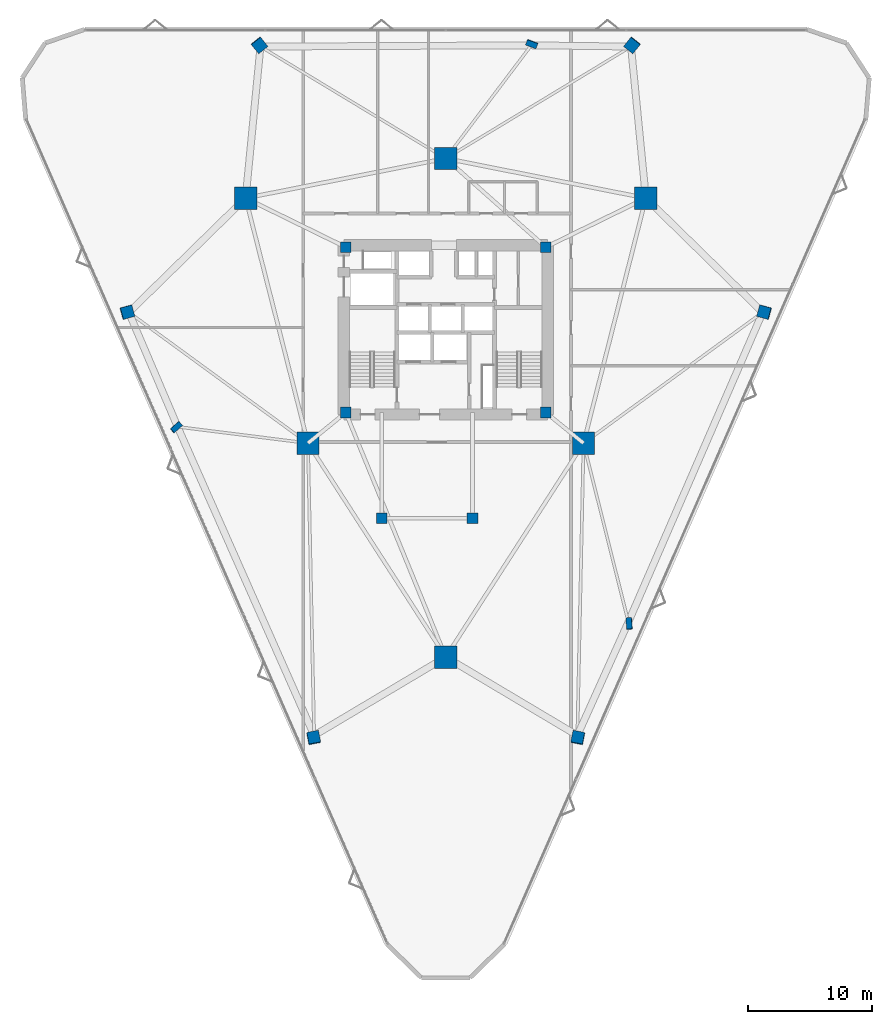
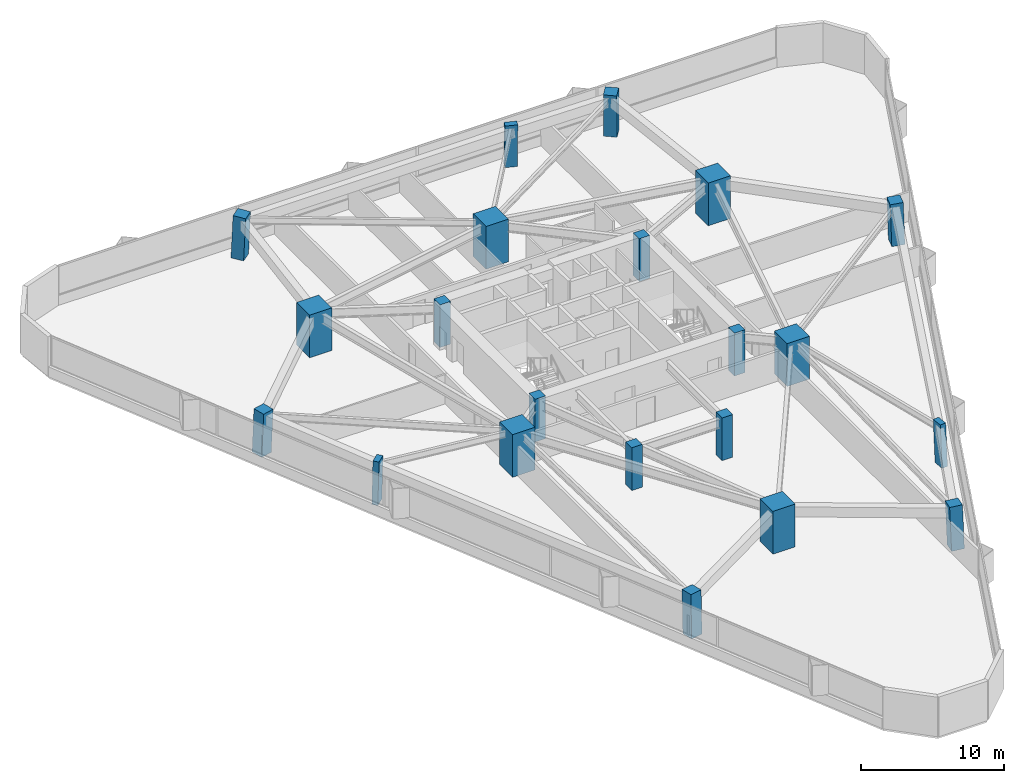
# One storey, part 1 of 20: 21 columns.
"""IFC4 building model written with IfcOpenShell, lengths in metres."""

from ifc_helpers import new_model, si_unit, direction, frame, origin, origin_2d, place, context, subcontext, project, spatial, rectangle, extrude, material, material_profile, profile_set, type_object, element, save


model = new_model("IFC4")

# Units and contexts
model_context = context("Model", 3, precision=1e-05, world=origin(), true_north=direction((0.0, 1.0)))
body_context = subcontext(model_context, "Body", "Model", "MODEL_VIEW")
ifc_project = project(units=[si_unit("LENGTHUNIT", "METRE"), si_unit("AREAUNIT", "SQUARE_METRE"), si_unit("VOLUMEUNIT", "CUBIC_METRE"), si_unit("PLANEANGLEUNIT", "RADIAN"), si_unit("MASSUNIT", "GRAM", prefix="KILO")], contexts=[model_context])

# Site, building, storey
site_placement = place(None, origin())
site = spatial("IfcSite", under=ifc_project, at=site_placement, CompositionType="ELEMENT")
building_placement = place(site_placement, origin())
building = spatial("IfcBuilding", under=site, at=building_placement, Name="Talyreon Biosciences Tower", CompositionType="ELEMENT")
storey_placement = place(building_placement, frame((0.0, 0.0, 41.050048828125)))
storey = spatial("IfcBuildingStorey", under=building, at=storey_placement, Name="L10", CompositionType="ELEMENT", Elevation=41.050048828125)

# Columns
ifc_material_1 = material(Name="Precast concrete C45/55", Category="concrete")
ifc_material_profile_1 = material_profile(ifc_material_1, rectangle(XDim=0.89990234375, YDim=0.449951171875, at=origin_2d()), Name="RC 900x450")
ifc_profile_set_1 = profile_set([ifc_material_profile_1], Name="Precast concrete C45/55")
column_type_1 = type_object("IfcColumnType", Name="FacadePilaster_900x450", PredefinedType="PILASTER", material=ifc_profile_set_1)
column_1_placement = place(storey_placement, frame((80.767333984375, 44.34912109375, 0.0029296875), z_axis=(-0.019612054336, 0.038220078587, 0.999076870375), x_axis=(0.060870498884, -0.997369733769, 0.039349669982)))
element("IfcColumn", 1, at=column_1_placement, inside=storey, type_object=column_type_1, Name="L10 Facade Pilaster PL-SE", PredefinedType="PILASTER", context=body_context, shape_type="SweptSolid", body=[
    extrude(rectangle(XDim=0.89990234375, YDim=0.449951171875, at=origin_2d()), origin(), (0.0, 0.0, 1.0), 3.6474609375),
])
column_2_placement = place(storey_placement, frame((72.92578125, 91.01513671875, 0.0029296875), z_axis=(-0.012386580681, -0.033477245085, 0.999362720278), x_axis=(-0.937861842681, 0.347008881792, 0.0)))
element("IfcColumn", 2, at=column_2_placement, inside=storey, type_object=column_type_1, Name="L10 Facade Pilaster PL-N", PredefinedType="PILASTER", context=body_context, shape_type="SweptSolid", body=[
    extrude(rectangle(XDim=0.89990234375, YDim=0.449951171875, at=origin_2d()), origin(), (0.0, 0.0, 1.0), 3.646484375),
])
column_3_placement = place(storey_placement, frame((44.306884765625, 60.162353515625, 0.0029296875), z_axis=(0.032006476949, 0.010512587617, 0.999432374368), x_axis=(0.744576307685, 0.66682370613, -0.030858823324)))
element("IfcColumn", 3, at=column_3_placement, inside=storey, type_object=column_type_1, Name="L10 Facade Pilaster PL-SW", PredefinedType="PILASTER", context=body_context, shape_type="SweptSolid", body=[
    extrude(rectangle(XDim=0.89990234375, YDim=0.449951171875, at=origin_2d()), origin(), (0.0, 0.0, 1.0), 3.64599609375),
])
ifc_material_2 = material(Name="Concrete C60/75", Category="concrete")
ifc_material_profile_2 = material_profile(ifc_material_2, rectangle(XDim=1.800048828125, YDim=1.800048828125, at=origin_2d()), Name="RC 1800x1800")
ifc_profile_set_2 = profile_set([ifc_material_profile_2], Name="Concrete C60/75")
column_type_2 = type_object("IfcColumnType", Name="MegaColumn_1800", PredefinedType="COLUMN", material=ifc_profile_set_2)
for number, where, z_axis, x_axis, name in (
    (4, (66.0, 41.6669921875, 0.0), (0.0, 0.0, 1.0), (1.0, 0.0, 0.0), "L10 Composite Mega-Column MC1"),
    (5, (82.102294921875, 78.5986328125, 0.0), (0.0, 0.0, 1.0), (1.0, 0.0, 0.0), "L10 Composite Mega-Column MC2"),
    (6, (49.897705078125, 78.5986328125, 0.0), (0.0, 0.0, 1.0), (1.0, 0.0, 0.0), "L10 Composite Mega-Column MC3"),
    (7, (77.086181640625, 58.88037109375, 0.0), (0.0, 0.0, 1.0), (1.0, 0.0, 0.0), "L10 Composite Mega-Column MC4"),
    (8, (66.0, 81.788818359375, 0.0), (0.0, 0.0, 1.0), (1.0, 0.0, 0.0), "L10 Composite Mega-Column MC5"),
    (9, (54.913818359375, 58.88037109375, 0.0), (0.0, 0.0, 1.0), (1.0, 0.0, 0.0), "L10 Composite Mega-Column MC6"),
):
    element("IfcColumn", number, at=place(storey_placement, frame(where, z_axis=z_axis, x_axis=x_axis)), inside=storey, type_object=column_type_2, Name=name, PredefinedType="COLUMN", context=body_context, shape_type="SweptSolid", body=[
        extrude(rectangle(XDim=1.800048828125, YDim=1.800048828125, at=origin_2d()), origin(), (0.0, 0.0, 1.0), 3.64990234375),
    ])
ifc_material_profile_3 = material_profile(ifc_material_2, rectangle(XDim=0.85009765625, YDim=0.85009765625, at=origin_2d()), Name="RC 850x850")
ifc_profile_set_3 = profile_set([ifc_material_profile_3], Name="Concrete C60/75")
column_type_3 = type_object("IfcColumnType", Name="PerimeterColumn_850", PredefinedType="COLUMN", material=ifc_profile_set_3)
for number, where, z_axis, x_axis, name in (
    (10, (57.949951171875, 61.35009765625, 0.0), (0.0, 0.0, 1.0), (1.0, 0.0, 0.0), "L10 Core Column CC1"),
    (11, (74.050048828125, 61.35009765625, 0.0), (0.0, 0.0, 1.0), (1.0, 0.0, 0.0), "L10 Core Column CC2"),
    (12, (74.050048828125, 74.64990234375, 0.0), (0.0, 0.0, 1.0), (1.0, 0.0, 0.0), "L10 Core Column CC3"),
    (13, (57.949951171875, 74.64990234375, 0.0), (0.0, 0.0, 1.0), (1.0, 0.0, 0.0), "L10 Core Column CC4"),
    (14, (60.85009765625, 52.840087890625, 0.0), (0.0, 0.0, 1.0), (1.0, 0.0, 0.0), "L10 Core Column CSW"),
    (15, (68.14990234375, 52.840087890625, 0.0), (0.0, 0.0, 1.0), (1.0, 0.0, 0.0), "L10 Core Column CSE"),
):
    element("IfcColumn", number, at=place(storey_placement, frame(where, z_axis=z_axis, x_axis=x_axis)), inside=storey, type_object=column_type_3, Name=name, PredefinedType="COLUMN", context=body_context, shape_type="SweptSolid", body=[
        extrude(rectangle(XDim=0.85009765625, YDim=0.85009765625, at=origin_2d()), origin(), (0.0, 0.0, 1.0), 3.64990234375),
    ])
ifc_material_profile_4 = material_profile(ifc_material_2, rectangle(XDim=0.949951171875, YDim=0.949951171875, at=origin_2d()), Name="RC 950x950")
ifc_profile_set_4 = profile_set([ifc_material_profile_4], Name="Concrete C60/75")
column_type_4 = type_object("IfcColumnType", Name="PerimeterColumn_950", PredefinedType="COLUMN", material=ifc_profile_set_4)
column_4_placement = place(storey_placement, frame((76.6357421875, 35.164794921875, 0.0029296875), z_axis=(-0.012375186311, 0.054383926869, 0.998443410145), x_axis=(-0.188254912775, -0.980790494637, 0.051089073648)))
element("IfcColumn", 16, at=column_4_placement, inside=storey, type_object=column_type_4, Name="L10 Tapering Perimeter Column PC-SE1", PredefinedType="COLUMN", context=body_context, shape_type="SweptSolid", body=[
    extrude(rectangle(XDim=0.949951171875, YDim=0.949951171875, at=origin_2d()), origin(), (0.0, 0.0, 1.0), 3.649658203125),
])
column_5_placement = place(storey_placement, frame((91.6416015625, 69.427001953125, 0.0029296875), z_axis=(-0.039229493406, -0.00569028488, 0.999214024874), x_axis=(0.963388748014, -0.265638263624, 0.036310234083)))
element("IfcColumn", 17, at=column_5_placement, inside=storey, type_object=column_type_4, Name="L10 Tapering Perimeter Column PC-SE2", PredefinedType="COLUMN", context=body_context, shape_type="SweptSolid", body=[
    extrude(rectangle(XDim=0.949951171875, YDim=0.949951171875, at=origin_2d()), origin(), (0.0, 0.0, 1.0), 3.64697265625),
])
for number, where, z_axis, x_axis, name in (
    (18, (81.006103515625, 90.915283203125, 0.0029296875), (-0.026907963191, -0.033534551141, 0.999075270136), (-0.779956681152, 0.625833504637, 0.0), "L10 Tapering Perimeter Column PC-N1"),
    (19, (50.993896484375, 90.915283203125, 0.0029296875), (0.026907963191, -0.033534551141, 0.999075270136), (-0.779956681152, -0.625833504637, 0.0), "L10 Tapering Perimeter Column PC-N2"),
):
    element("IfcColumn", number, at=place(storey_placement, frame(where, z_axis=z_axis, x_axis=x_axis)), inside=storey, type_object=column_type_4, Name=name, PredefinedType="COLUMN", context=body_context, shape_type="SweptSolid", body=[
        extrude(rectangle(XDim=0.949951171875, YDim=0.949951171875, at=origin_2d()), origin(), (0.0, 0.0, 1.0), 3.6474609375),
    ])
column_6_placement = place(storey_placement, frame((40.3583984375, 69.427001953125, 0.0029296875), z_axis=(0.039229493406, -0.00569028488, 0.999214024874), x_axis=(0.963388748014, 0.265638263624, -0.036310234083)))
element("IfcColumn", 20, at=column_6_placement, inside=storey, type_object=column_type_4, Name="L10 Tapering Perimeter Column PC-SW1", PredefinedType="COLUMN", context=body_context, shape_type="SweptSolid", body=[
    extrude(rectangle(XDim=0.949951171875, YDim=0.949951171875, at=origin_2d()), origin(), (0.0, 0.0, 1.0), 3.64697265625),
])
column_7_placement = place(storey_placement, frame((55.3642578125, 35.164794921875, 0.0029296875), z_axis=(0.012375186311, 0.054383926869, 0.998443410145), x_axis=(-0.188254912775, 0.980790494637, -0.051089073648)))
element("IfcColumn", 21, at=column_7_placement, inside=storey, type_object=column_type_4, Name="L10 Tapering Perimeter Column PC-SW2", PredefinedType="COLUMN", context=body_context, shape_type="SweptSolid", body=[
    extrude(rectangle(XDim=0.949951171875, YDim=0.949951171875, at=origin_2d()), origin(), (0.0, 0.0, 1.0), 3.649658203125),
])

save(model, "model.ifc")
